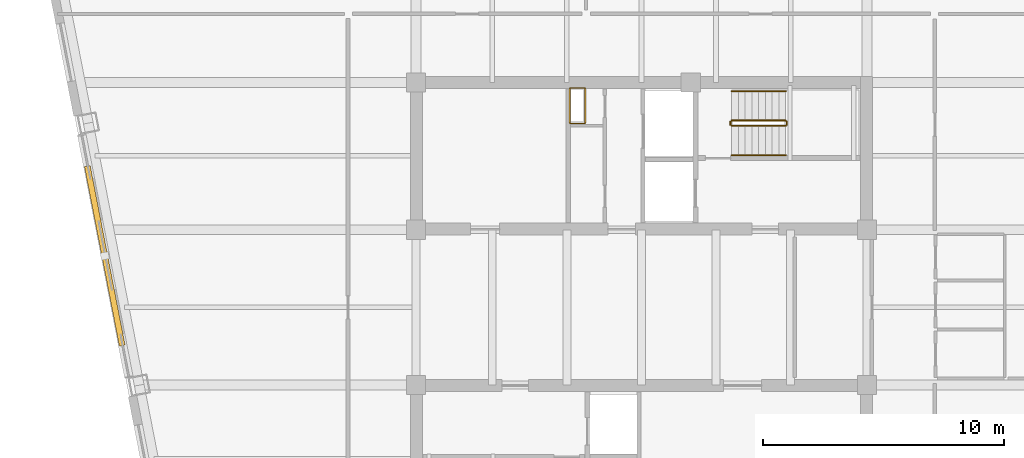
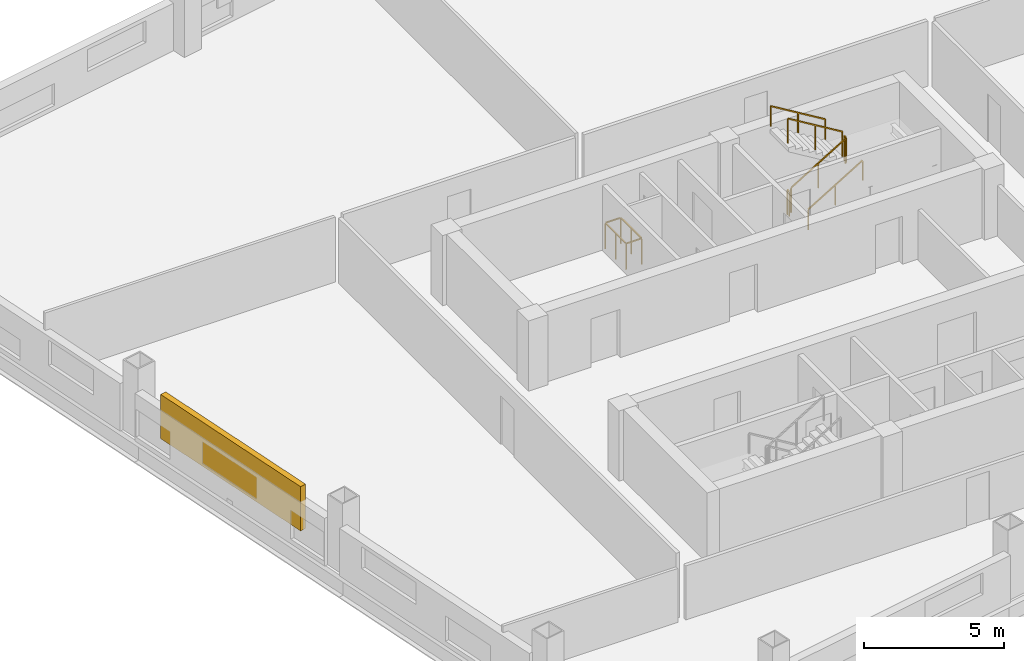
# One storey, part 7 of 8: 7 railings, 1 shading device.
"""IFC4 building model written with IfcOpenShell, lengths in metres."""

from ifc_helpers import new_model, si_unit, direction, frame, origin, origin_2d, place, context, subcontext, project, spatial, rectangle, extrude, material, type_object, element, save


model = new_model("IFC4")

# Units and contexts
model_context = context("Model", 3, precision=1e-05, world=origin(), true_north=direction((0.0, 1.0)))
body_context = subcontext(model_context, "Body", "Model", "MODEL_VIEW")
ifc_project = project(units=[si_unit("LENGTHUNIT", "METRE"), si_unit("AREAUNIT", "SQUARE_METRE"), si_unit("VOLUMEUNIT", "CUBIC_METRE"), si_unit("PLANEANGLEUNIT", "RADIAN"), si_unit("MASSUNIT", "GRAM", prefix="KILO")], contexts=[model_context])

# Site, building, storey
site_placement = place(None, origin())
site = spatial("IfcSite", under=ifc_project, at=site_placement, CompositionType="ELEMENT")
building_placement = place(site_placement, origin())
building = spatial("IfcBuilding", under=site, at=building_placement, Name="Qhalaya Broadcast Tower", CompositionType="ELEMENT")
storey_placement = place(building_placement, frame((0.0, 0.0, 115.85009765625)))
storey = spatial("IfcBuildingStorey", under=building, at=storey_placement, Name="L33", CompositionType="ELEMENT", Elevation=115.85009765625)

# Railings
ifc_material_1 = material(Name="Powder-Coated Galvanised Steel", Category="steel")
railing_type_1 = type_object("IfcRailingType", Name="Stair Wall Handrail 900", PredefinedType="HANDRAIL", material=ifc_material_1)
railing_1_placement = place(storey_placement, frame((3.75, 6.929931640625, 0.16943359375)))
element("IfcRailing", 1, at=railing_1_placement, inside=storey, type_object=railing_type_1, Name="L33 ST-1 Stair Handrail 1", PredefinedType="HANDRAIL", context=body_context, shape_type="SweptSolid", body=[
    extrude(rectangle(XDim=0.048095703125, YDim=0.048095703125, at=origin_2d()), frame((0.0, 0.0, 0.8759765625), z_axis=(0.855553338991, 0.0, 0.51771467445), x_axis=(0.0, 1.0, 0.0)), (0.0, 0.0, 1.0), 2.6181640625),
    extrude(rectangle(XDim=0.0419921875, YDim=0.0419921875, at=origin_2d()), origin(), (0.0, 0.0, 1.0), 0.849853515625),
    extrude(rectangle(XDim=0.0419921875, YDim=0.0419921875, at=origin_2d()), frame((1.1201171875, 0.0, 0.677734375)), (0.0, 0.0, 1.0), 0.849853515625),
    extrude(rectangle(XDim=0.0419921875, YDim=0.0419921875, at=origin_2d()), frame((2.239990234375, 0.0, 1.35546875)), (0.0, 0.0, 1.0), 0.849853515625),
])
railing_2_placement = place(storey_placement, frame((5.989990234375, 9.590087890625, 1.6943359375)))
element("IfcRailing", 2, at=railing_2_placement, inside=storey, type_object=railing_type_1, Name="L33 ST-1 Stair Handrail 2", PredefinedType="HANDRAIL", context=body_context, shape_type="SweptSolid", body=[
    extrude(rectangle(XDim=0.048095703125, YDim=0.048095703125, at=origin_2d()), frame((0.0, 0.0, 0.8759765625), z_axis=(-0.855553338991, 0.0, 0.51771467445), x_axis=(0.0, -1.0, 0.0)), (0.0, 0.0, 1.0), 2.6181640625),
    extrude(rectangle(XDim=0.0419921875, YDim=0.0419921875, at=origin_2d()), origin(), (0.0, 0.0, 1.0), 0.849853515625),
    extrude(rectangle(XDim=0.0419921875, YDim=0.0419921875, at=origin_2d()), frame((-1.1201171875, 0.0, 0.677734375)), (0.0, 0.0, 1.0), 0.849853515625),
    extrude(rectangle(XDim=0.0419921875, YDim=0.0419921875, at=origin_2d()), frame((-2.239990234375, 0.0, 1.35546875)), (0.0, 0.0, 1.0), 0.849853515625),
])
railing_type_2 = type_object("IfcRailingType", Name="Stair Well & Landing Guardrail 1100", PredefinedType="GUARDRAIL", material=ifc_material_1)
railing_3_placement = place(storey_placement, frame((-2.340087890625, 8.239990234375, 0.0)))
element("IfcRailing", 3, at=railing_3_placement, inside=storey, type_object=railing_type_2, Name="L33 Service Riser Opening Safety Guard NRSR", PredefinedType="GUARDRAIL", context=body_context, shape_type="SweptSolid", body=[
    extrude(rectangle(XDim=0.048095703125, YDim=0.048095703125, at=origin_2d()), frame((0.0, 0.02880859375, 1.1259765625), z_axis=(0.0, 1.0, 0.0), x_axis=(-1.0, 0.0, 0.0)), (0.0, 0.0, 1.0), 1.42236328125),
    extrude(rectangle(XDim=0.048095703125, YDim=0.048095703125, at=origin_2d()), frame((-0.02880859375, 1.47998046875, 1.1259765625), z_axis=(-1.0, 0.0, 0.0), x_axis=(0.0, -1.0, 0.0)), (0.0, 0.0, 1.0), 0.582275390625),
    extrude(rectangle(XDim=0.048095703125, YDim=0.048095703125, at=origin_2d()), frame((-0.639892578125, 1.451171875, 1.1259765625), z_axis=(0.0, -1.0, 0.0), x_axis=(1.0, 0.0, 0.0)), (0.0, 0.0, 1.0), 1.42236328125),
    extrude(rectangle(XDim=0.048095703125, YDim=0.048095703125, at=origin_2d()), frame((-0.611083984375, 0.0, 1.1259765625), z_axis=(1.0, 0.0, 0.0), x_axis=(0.0, 1.0, 0.0)), (0.0, 0.0, 1.0), 0.582275390625),
    extrude(rectangle(XDim=0.0419921875, YDim=0.0419921875, at=origin_2d()), origin(), (0.0, 0.0, 1.0), 1.099853515625),
    extrude(rectangle(XDim=0.0419921875, YDim=0.0419921875, at=origin_2d()), frame((0.0, 0.739990234375, 0.0)), (0.0, 0.0, 1.0), 1.099853515625),
    extrude(rectangle(XDim=0.0419921875, YDim=0.0419921875, at=origin_2d()), frame((0.0, 1.47998046875, 0.0)), (0.0, 0.0, 1.0), 1.099853515625),
    extrude(rectangle(XDim=0.0419921875, YDim=0.0419921875, at=origin_2d()), frame((-0.639892578125, 1.47998046875, 0.0)), (0.0, 0.0, 1.0), 1.099853515625),
    extrude(rectangle(XDim=0.0419921875, YDim=0.0419921875, at=origin_2d()), frame((-0.639892578125, 0.739990234375, 0.0)), (0.0, 0.0, 1.0), 1.099853515625),
    extrude(rectangle(XDim=0.0419921875, YDim=0.0419921875, at=origin_2d()), frame((-0.639892578125, 0.0, 0.0)), (0.0, 0.0, 1.0), 1.099853515625),
])
railing_4_placement = place(storey_placement, frame((3.75, 8.14990234375, 0.16943359375)))
element("IfcRailing", 4, at=railing_4_placement, inside=storey, type_object=railing_type_2, Name="L33 ST-1 Stair Guard 1", PredefinedType="GUARDRAIL", context=body_context, shape_type="SweptSolid", body=[
    extrude(rectangle(XDim=0.048095703125, YDim=0.048095703125, at=origin_2d()), frame((0.0, 0.0, 1.076171875), z_axis=(0.855553338991, 0.0, 0.51771467445), x_axis=(0.0, 1.0, 0.0)), (0.0, 0.0, 1.0), 2.6181640625),
    extrude(rectangle(XDim=0.0419921875, YDim=0.0419921875, at=origin_2d()), origin(), (0.0, 0.0, 1.0), 1.050048828125),
    extrude(rectangle(XDim=0.0419921875, YDim=0.0419921875, at=origin_2d()), frame((1.1201171875, 0.0, 0.677734375)), (0.0, 0.0, 1.0), 1.050048828125),
    extrude(rectangle(XDim=0.0419921875, YDim=0.0419921875, at=origin_2d()), frame((2.239990234375, 0.0, 1.35546875)), (0.0, 0.0, 1.0), 1.050048828125),
])
railing_5_placement = place(storey_placement, frame((6.0400390625, 8.199951171875, 1.52490234375)))
element("IfcRailing", 5, at=railing_5_placement, inside=storey, type_object=railing_type_2, Name="L33 ST-1 Stair Guard 2", PredefinedType="GUARDRAIL", context=body_context, shape_type="SweptSolid", body=[
    extrude(rectangle(XDim=0.048095703125, YDim=0.048095703125, at=origin_2d()), frame((0.0, 0.0, 1.076171875), z_axis=(0.0, 1.0, 0.0), x_axis=(-1.0, 0.0, 0.0)), (0.0, 0.0, 1.0), 0.1201171875),
    extrude(rectangle(XDim=0.0419921875, YDim=0.0419921875, at=origin_2d()), origin(), (0.0, 0.0, 1.0), 1.050048828125),
    extrude(rectangle(XDim=0.0419921875, YDim=0.0419921875, at=origin_2d()), frame((0.0, 0.1201171875, 0.0)), (0.0, 0.0, 1.0), 1.050048828125),
])
railing_6_placement = place(storey_placement, frame((5.989990234375, 8.3701171875, 1.6943359375)))
element("IfcRailing", 6, at=railing_6_placement, inside=storey, type_object=railing_type_2, Name="L33 ST-1 Stair Guard 3", PredefinedType="GUARDRAIL", context=body_context, shape_type="SweptSolid", body=[
    extrude(rectangle(XDim=0.048095703125, YDim=0.048095703125, at=origin_2d()), frame((0.0, 0.0, 1.076171875), z_axis=(-0.855553338991, 0.0, 0.51771467445), x_axis=(0.0, -1.0, 0.0)), (0.0, 0.0, 1.0), 2.6181640625),
    extrude(rectangle(XDim=0.0419921875, YDim=0.0419921875, at=origin_2d()), origin(), (0.0, 0.0, 1.0), 1.050048828125),
    extrude(rectangle(XDim=0.0419921875, YDim=0.0419921875, at=origin_2d()), frame((-1.1201171875, 0.0, 0.677734375)), (0.0, 0.0, 1.0), 1.050048828125),
    extrude(rectangle(XDim=0.0419921875, YDim=0.0419921875, at=origin_2d()), frame((-2.239990234375, 0.0, 1.35546875)), (0.0, 0.0, 1.0), 1.050048828125),
])
railing_7_placement = place(storey_placement, frame((3.699951171875, 8.199951171875, 0.0)))
element("IfcRailing", 7, at=railing_7_placement, inside=storey, type_object=railing_type_2, Name="L33 ST-1 Stair Guard 4", PredefinedType="GUARDRAIL", context=body_context, shape_type="SweptSolid", body=[
    extrude(rectangle(XDim=0.048095703125, YDim=0.048095703125, at=origin_2d()), frame((0.0, 0.0, 1.076171875), z_axis=(0.0, 1.0, 0.0), x_axis=(-1.0, 0.0, 0.0)), (0.0, 0.0, 1.0), 0.1201171875),
    extrude(rectangle(XDim=0.0419921875, YDim=0.0419921875, at=origin_2d()), origin(), (0.0, 0.0, 1.0), 1.050048828125),
    extrude(rectangle(XDim=0.0419921875, YDim=0.0419921875, at=origin_2d()), frame((0.0, 0.1201171875, 0.0)), (0.0, 0.0, 1.0), 1.050048828125),
])

# Shading device
ifc_material_2 = material(Name="Fired Architectural Terracotta", Category="masonry")
shading_device_type = type_object("IfcShadingDeviceType", Name="Terracotta Baguette Solar Screen Assembly TBS-01", PredefinedType="USERDEFINED", material=ifc_material_2)
shading_device_placement = place(storey_placement, frame((-22.3125, 2.742919921875, 0.79248046875), z_axis=(0.0, 0.0, 1.0), x_axis=(0.190808995377, -0.981627183448, 0.0)))
element("IfcShadingDevice", 8, at=shading_device_placement, inside=storey, type_object=shading_device_type, Name="L33 Fired Terracotta Baguette Screen W", ObjectType="BAGUETTE", PredefinedType="USERDEFINED", context=body_context, shape_type="SweptSolid", body=[
    extrude(rectangle(XDim=7.60009765625, YDim=0.239990234375, at=origin_2d()), origin(), (0.0, 0.0, 1.0), 1.924072265625),
])

save(model, "model.ifc")
